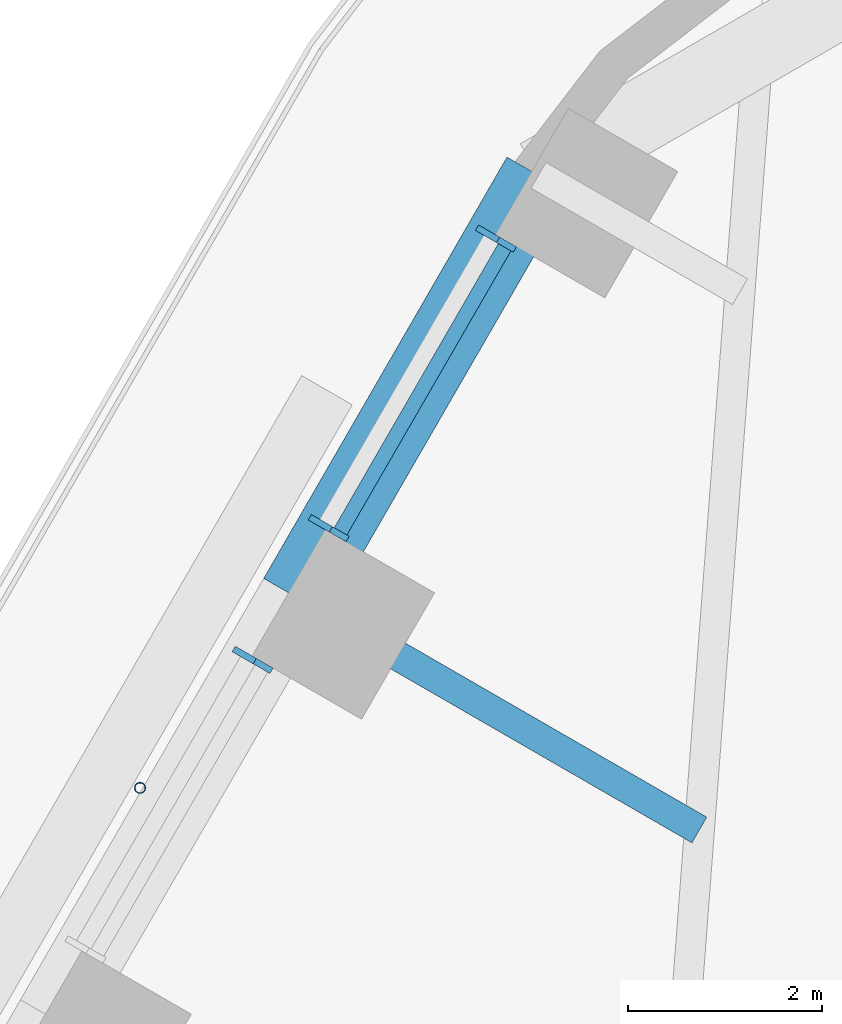
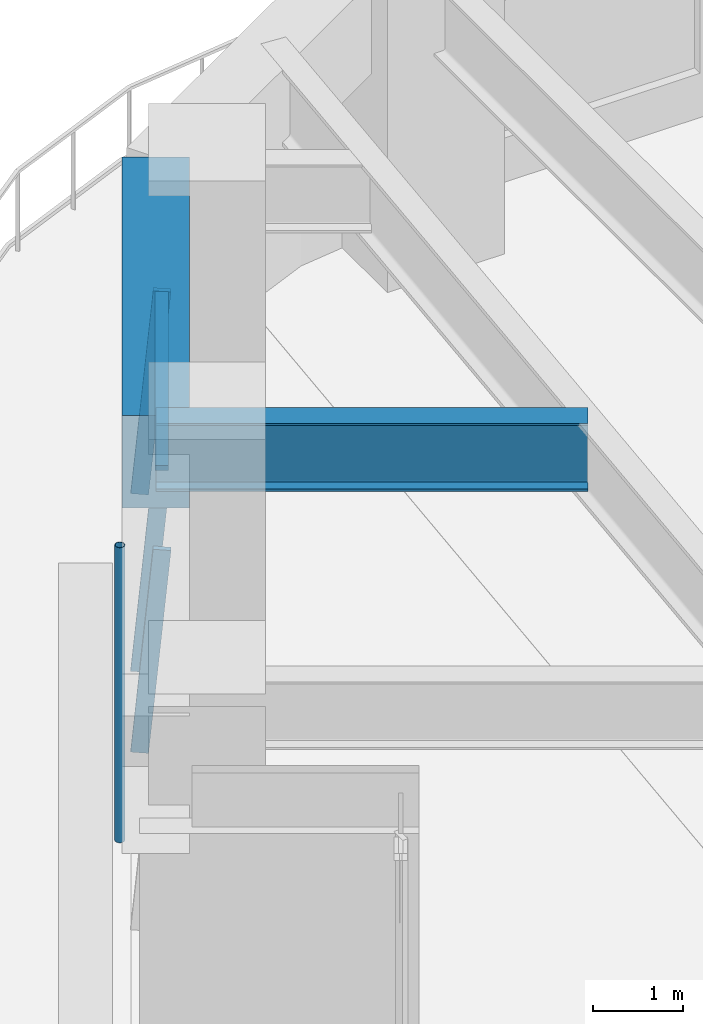
# One storey, part 9 of 24: 5 members, 2 beams, 2 elements without a shape of their own.
"""IFC4 building model written with IfcOpenShell, lengths in metres."""

from ifc_helpers import new_model, si_unit, direction, frame, origin, origin_2d, place, context, subcontext, project, spatial, rectangle, hollow_circle, i_section, extrude, material, material_profile, profile_set, type_object, element, aggregate, save


model = new_model("IFC4")

# Units and contexts
model_context = context("Model", 3, precision=1e-05, world=origin(), true_north=direction((0.0, 1.0)))
body_context = subcontext(model_context, "Body", "Model", "MODEL_VIEW")
ifc_project = project(units=[si_unit("LENGTHUNIT", "METRE"), si_unit("AREAUNIT", "SQUARE_METRE"), si_unit("VOLUMEUNIT", "CUBIC_METRE"), si_unit("PLANEANGLEUNIT", "RADIAN"), si_unit("MASSUNIT", "GRAM", prefix="KILO")], contexts=[model_context])

# Site, building, storey
site_placement = place(None, origin())
site = spatial("IfcSite", under=ifc_project, at=site_placement, CompositionType="ELEMENT")
building_placement = place(site_placement, origin())
building = spatial("IfcBuilding", under=site, at=building_placement, Name="Tarfa Lantern Tower", CompositionType="ELEMENT")
storey_placement = place(building_placement, frame((0.0, 0.0, 182.5)))
storey = spatial("IfcBuildingStorey", under=building, at=storey_placement, Name="L41", CompositionType="ELEMENT", Elevation=182.5)

# Curtain wall, members
ifc_material_1 = material(Name="Aluminium framed curtain wall", Category="aluminium")
curtain_wall_type = type_object("IfcCurtainWallType", Name="CW2 CANTED GLAZING MID ZONE 2750", PredefinedType="USERDEFINED", material=ifc_material_1)
curtain_wall_1_placement = place(storey_placement, origin())
curtain_wall_1 = element("IfcCurtainWall", 1, at=curtain_wall_1_placement, inside=storey, type_object=curtain_wall_type, Name="CW2 NW L41", ObjectType="CURTAIN WALL", PredefinedType="USERDEFINED")
ifc_material_2 = material(Name="Aluminium mullion", Category="aluminium")
ifc_material_profile_1 = material_profile(ifc_material_2, rectangle(XDim=0.06494140625, YDim=0.199951171875, at=origin_2d()), Name="AL MULLION 65x200")
ifc_profile_set_1 = profile_set([ifc_material_profile_1], Name="Aluminium mullion")
member_type_1 = type_object("IfcMemberType", Name="CWM1 MULLION 65x200", PredefinedType="MULLION", material=ifc_profile_set_1)
member_1_placement = place(storey_placement, frame((-20.078857421875, 28.022216796875, 0.0), z_axis=(0.078422950161, -0.045267813396, 0.995891894715), x_axis=(0.499919672301, 0.866071776036, 0.0)))
member_1 = element("IfcMember", 2, at=member_1_placement, type_object=member_type_1, Name="CW2 mullion 1", PredefinedType="MULLION", context=body_context, shape_type="SweptSolid", body=[
    extrude(rectangle(XDim=0.06494140625, YDim=0.199951171875, at=origin_2d()), origin(), (0.0, 0.0, 1.0), 2.76123046875),
])
member_2_placement = place(storey_placement, frame((-21.79833984375, 25.04443359375, 0.0), z_axis=(0.078422950161, -0.045267813396, 0.995891894715), x_axis=(0.499919672301, 0.866071776036, 0.0)))
member_2 = element("IfcMember", 3, at=member_2_placement, type_object=member_type_1, Name="CW2 mullion 2", PredefinedType="MULLION", context=body_context, shape_type="SweptSolid", body=[
    extrude(rectangle(XDim=0.06494140625, YDim=0.199951171875, at=origin_2d()), origin(), (0.0, 0.0, 1.0), 2.76123046875),
])

# Curtain wall, member
curtain_wall_2_placement = place(storey_placement, origin())
curtain_wall_2 = element("IfcCurtainWall", 4, at=curtain_wall_2_placement, inside=storey, type_object=curtain_wall_type, Name="CW2 NW L41", ObjectType="CURTAIN WALL", PredefinedType="USERDEFINED")
member_3_placement = place(storey_placement, frame((-22.580810546875, 23.68896484375, 0.0), z_axis=(0.078422950161, -0.045267813396, 0.995891894715), x_axis=(0.499919672301, 0.866071776036, 0.0)))
member_3 = element("IfcMember", 5, at=member_3_placement, type_object=member_type_1, Name="CW2 mullion 1", PredefinedType="MULLION", context=body_context, shape_type="SweptSolid", body=[
    extrude(rectangle(XDim=0.06494140625, YDim=0.199951171875, at=origin_2d()), origin(), (0.0, 0.0, 1.0), 2.76123046875),
])
aggregate(curtain_wall_2, [member_3])

# Member
ifc_material_3 = material(Name="Aluminium transom", Category="aluminium")
ifc_material_profile_2 = material_profile(ifc_material_3, rectangle(XDim=0.14990234375, YDim=0.06494140625, at=origin_2d()), Name="AL TRANSOM 150x65")
ifc_profile_set_2 = profile_set([ifc_material_profile_2], Name="Aluminium transom")
member_type_2 = type_object("IfcMemberType", Name="CWT1 TRANSOM 150x65", PredefinedType="USERDEFINED", material=ifc_profile_set_2)
member_4_placement = place(storey_placement, frame((-19.881103515625, 27.87060546875, 2.717529296875), z_axis=(-0.500046095904, -0.865998788666, 0.0), x_axis=(0.865998788666, -0.500046095904, 0.0)))
member_4 = element("IfcMember", 6, at=member_4_placement, type_object=member_type_2, Name="CW2 transom 1.2", ObjectType="TRANSOM", PredefinedType="USERDEFINED", context=body_context, shape_type="SweptSolid", body=[
    extrude(rectangle(XDim=0.14990234375, YDim=0.06494140625, at=origin_2d()), origin(), (0.0, 0.0, 1.0), 3.373779296875),
])

aggregate(curtain_wall_1, [member_1, member_2, member_4])

# Beam
ifc_material_4 = material(Name="Concrete C80/95", Category="concrete")
ifc_material_profile_3 = material_profile(ifc_material_4, rectangle(XDim=0.75, YDim=1.25, at=origin_2d()), Name="RC 750x1250")
ifc_profile_set_3 = profile_set([ifc_material_profile_3], Name="Concrete C80/95")
beam_type_1 = type_object("IfcBeamType", Name="EB2 RC 750x1250", PredefinedType="SPANDREL", material=ifc_profile_set_3)
beam_1_placement = place(storey_placement, frame((-19.53173828125, 28.610107421875, 3.375), z_axis=(-0.500001197378, -0.866024712477, 0.0), x_axis=(0.866024712477, -0.500001197378, 0.0)))
element("IfcBeam", 7, at=beam_1_placement, inside=storey, type_object=beam_type_1, Name="Edge beam NW0", PredefinedType="SPANDREL", context=body_context, shape_type="SweptSolid", body=[
    extrude(rectangle(XDim=0.75, YDim=1.25, at=origin_2d()), origin(), (0.0, 0.0, 1.0), 5.00390625),
])

# Member
ifc_material_5 = material(Name="Steel S355", Category="steel")
ifc_material_profile_4 = material_profile(ifc_material_5, hollow_circle(Radius=0.05712890625, WallThickness=0.00634765625, at=origin_2d()), Name="CHS114.3x6.3")
ifc_profile_set_4 = profile_set([ifc_material_profile_4], Name="Steel S355")
member_type_3 = type_object("IfcMemberType", Name="TR1 GREEN WALL TRELLIS CHS114.3x6.3", PredefinedType="USERDEFINED", material=ifc_profile_set_4)
member_5_placement = place(storey_placement, frame((-23.630859375, 22.31005859375, 0.0), z_axis=(0.0, 0.0, 1.0), x_axis=(1.0, 0.0, 0.0)))
element("IfcMember", 8, at=member_5_placement, inside=storey, type_object=member_type_3, Name="Trellis post NW 1", ObjectType="TRELLIS", PredefinedType="USERDEFINED", context=body_context, shape_type="SweptSolid", body=[
    extrude(hollow_circle(Radius=0.05712890625, WallThickness=0.00634765625, at=origin_2d()), origin(), (0.0, 0.0, 1.0), 4.0),
])

# Beam
ifc_material_6 = material(Name="Steel S460M", Category="steel")
ifc_material_profile_5 = material_profile(ifc_material_6, i_section(OverallWidth=0.305419921875, OverallDepth=0.91845703125, WebThickness=0.017333984375, FlangeThickness=0.02783203125, FilletRadius=0.01904296875, at=origin_2d()), Name="UB914x305x253")
ifc_profile_set_5 = profile_set([ifc_material_profile_5], Name="Steel S460M")
beam_type_2 = type_object("IfcBeamType", Name="UB914x305x253", PredefinedType="BEAM", material=ifc_profile_set_5)
beam_2_placement = place(storey_placement, frame((-22.03369140625, 24.276611328125, 3.540771484375), z_axis=(0.866030550462, -0.499991085587, 0.0), x_axis=(0.499991085587, 0.866030550462, 0.0)))
element("IfcBeam", 9, at=beam_2_placement, inside=storey, type_object=beam_type_2, Name="Floor beam NW1", PredefinedType="BEAM", context=body_context, shape_type="SweptSolid", body=[
    extrude(i_section(OverallWidth=0.305419921875, OverallDepth=0.91845703125, WebThickness=0.017333984375, FlangeThickness=0.02783203125, FilletRadius=0.01904296875, at=origin_2d()), origin(), (0.0, 0.0, 1.0), 4.798828125),
])

save(model, "model.ifc")
